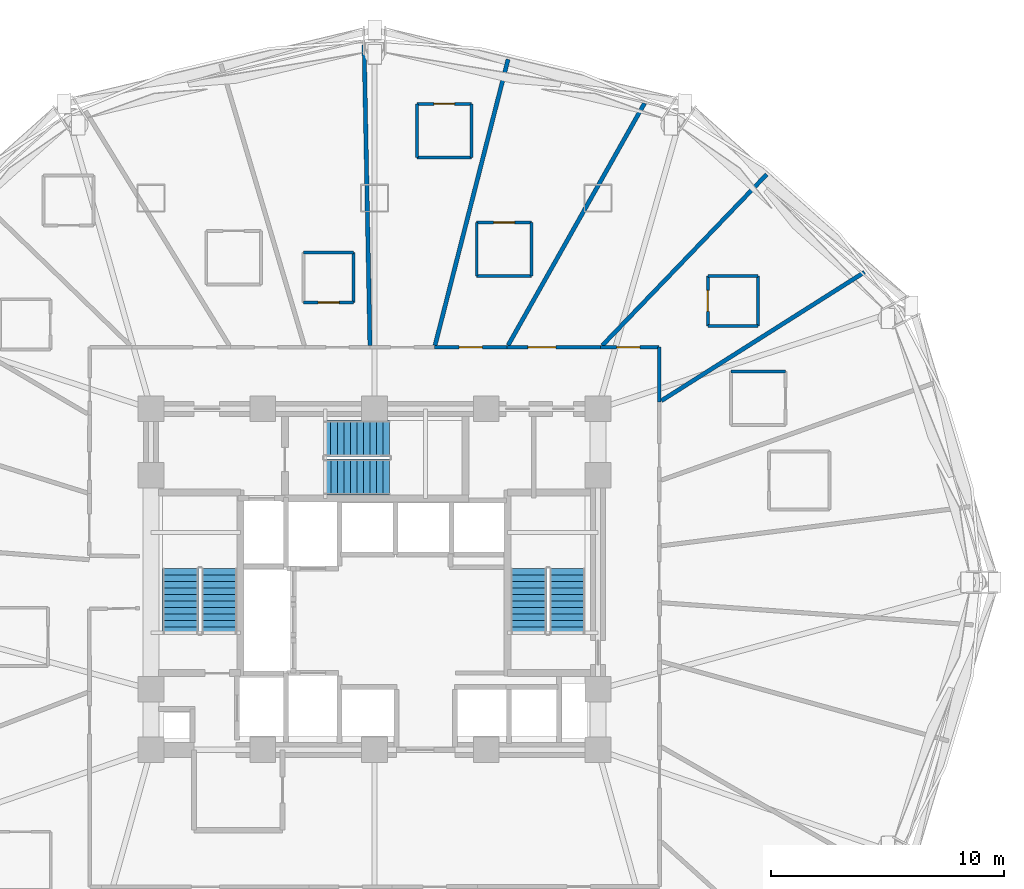
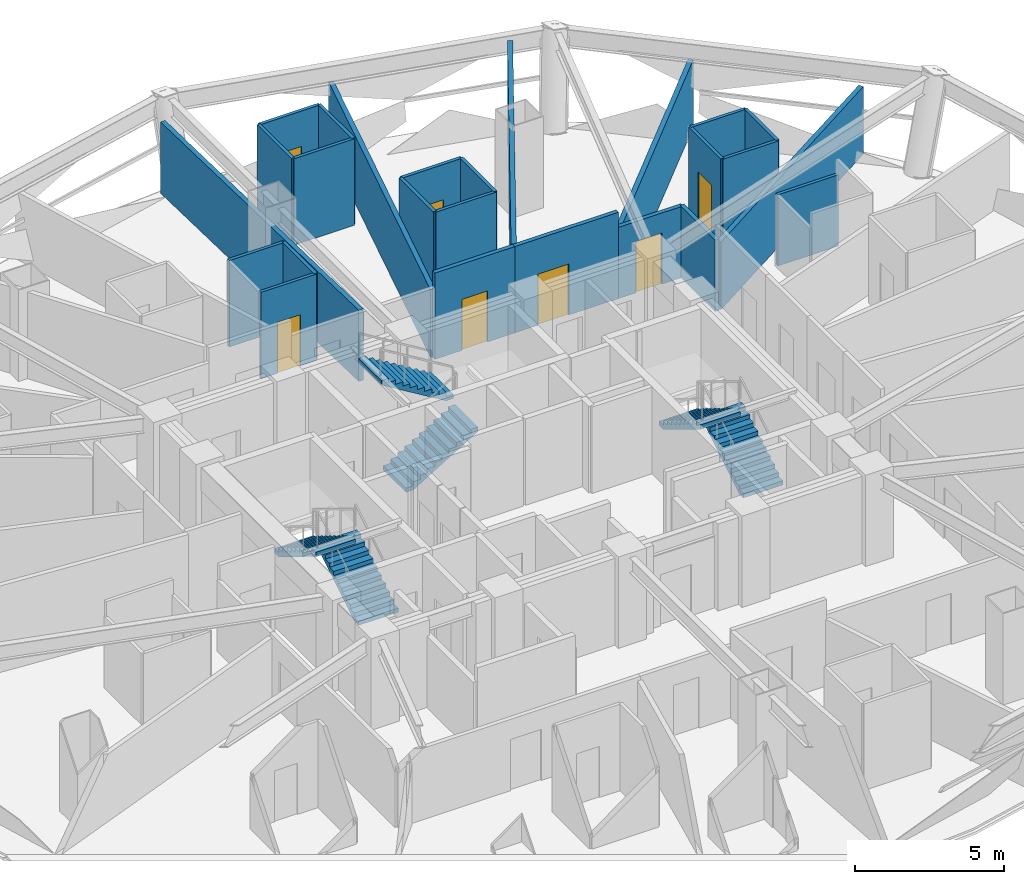
# One storey, part 8 of 12: 25 walls, 7 doors, 6 stair flights, 7 openings, 3 elements without a shape of their own.
"""IFC4 building model written with IfcOpenShell, lengths in metres."""

from ifc_helpers import new_model, si_unit, direction, frame, frame_2d, origin, place, context, subcontext, project, spatial, polyline, rectangle, outline, extrude, material, layer, layer_set, type_object, element, fill, aggregate, save


model = new_model("IFC4")

# Units and contexts
model_context = context("Model", 3, precision=1e-05, world=origin(), true_north=direction((0.0, 1.0)))
body_context = subcontext(model_context, "Body", "Model", "MODEL_VIEW")
ifc_project = project(units=[si_unit("LENGTHUNIT", "METRE"), si_unit("AREAUNIT", "SQUARE_METRE"), si_unit("VOLUMEUNIT", "CUBIC_METRE"), si_unit("PLANEANGLEUNIT", "RADIAN"), si_unit("MASSUNIT", "GRAM", prefix="KILO")], contexts=[model_context])

# Site, building, storey
site_placement = place(None, origin())
site = spatial("IfcSite", under=ifc_project, at=site_placement, CompositionType="ELEMENT")
building_placement = place(site_placement, origin())
building = spatial("IfcBuilding", under=site, at=building_placement, Name="Vantalir Tower", CompositionType="ELEMENT")
storey_placement = place(building_placement, frame((0.0, 0.0, 38.25)))
storey = spatial("IfcBuildingStorey", under=building, at=storey_placement, Name="L08", CompositionType="ELEMENT", Elevation=38.25)

# Walls
ifc_material_1 = material(Name="Moisture-resistant en-suite partition", Category="gypsum")
ifc_layer_1 = layer(ifc_material_1, 0.125)
ifc_layer_set_1 = layer_set([ifc_layer_1], Name="Moisture-resistant en-suite partition")
wall_type_1 = type_object("IfcWallType", Name="WL-BATH-125", PredefinedType="PARTITIONING", material=ifc_layer_set_1)
wall_1_placement = place(storey_placement, frame((46.80908203125, 34.051025390625, 0.0), z_axis=(0.0, 0.0, 1.0), x_axis=(1.0, 0.0, 0.0)))
element("IfcWall", 1, at=wall_1_placement, inside=storey, type_object=wall_type_1, Name="L08 En-suite 02 North Wall", PredefinedType="PARTITIONING", context=body_context, shape_type="SweptSolid", body=[
    extrude(rectangle(XDim=2.349853515625, YDim=0.125, at=frame_2d((1.1748046875, 0.0))), origin(), (0.0, 0.0, 1.0), 2.927978515625),
])
for number, where, z_axis, x_axis, name in (
    (2, (45.818115234375, 36.013916015625, 0.0), (0.0, 0.0, 1.0), (1.0, 0.0, 0.0), "L08 En-suite 03 South Wall"),
    (3, (45.818115234375, 38.1640625, 0.0), (0.0, 0.0, 1.0), (1.0, 0.0, 0.0), "L08 En-suite 03 North Wall"),
):
    element("IfcWall", number, at=place(storey_placement, frame(where, z_axis=z_axis, x_axis=x_axis)), inside=storey, type_object=wall_type_1, Name=name, PredefinedType="PARTITIONING", context=body_context, shape_type="SweptSolid", body=[
        extrude(rectangle(XDim=2.14990234375, YDim=0.125, at=frame_2d((1.074951171875, 0.0))), origin(), (0.0, 0.0, 1.0), 3.550048828125),
    ])

# Wall, opening, door
wall_2_placement = place(storey_placement, frame((45.818115234375, 36.013916015625, 0.0), z_axis=(0.0, 0.0, 1.0), x_axis=(0.0, 1.0, 0.0)))
wall_2 = element("IfcWall", 4, at=wall_2_placement, inside=storey, type_object=wall_type_1, Name="L08 En-suite 03 West Wall", PredefinedType="PARTITIONING", context=body_context, shape_type="SweptSolid", body=[
    extrude(rectangle(XDim=2.150146484375, YDim=0.125, at=frame_2d((1.0751953125, 0.0))), origin(), (0.0, 0.0, 1.0), 3.550048828125),
])
opening_1_placement = place(wall_2_placement, frame((0.625, 0.0, 0.0)))
opening_1 = element("IfcOpeningElement", 5, at=opening_1_placement, cuts=wall_2, Name="Opening D-WC", PredefinedType="OPENING", context=body_context, shape_type="SweptSolid", body=[
    extrude(rectangle(XDim=0.89990234375, YDim=2.10009765625, at=frame_2d((0.449951171875, 1.050048828125))), frame((0.0, 0.072509765625, 0.0), z_axis=(0.0, -1.0, 0.0), x_axis=(1.0, 0.0, 0.0)), (0.0, 0.0, 1.0), 0.14501953125),
])
ifc_material_2 = material(Name="Moisture-resistant hardwood door", Category="wood")
door_type_1 = type_object("IfcDoorType", Name="DR-ENSUITE-900", OperationType="NOTDEFINED", PredefinedType="DOOR", material=ifc_material_2)
door_1_placement = place(opening_1_placement, frame((0.89990234375, 0.0, 0.0), z_axis=(0.0, 0.0, 1.0), x_axis=(-1.0, 0.0, 0.0)))
door_1 = element("IfcDoor", 6, at=door_1_placement, inside=storey, type_object=door_type_1, Name="L08 En-suite 03 Door", OperationType="SINGLE_SWING_RIGHT", OverallHeight=2.10009765625, OverallWidth=0.89990234375, PredefinedType="DOOR", context=body_context, shape_type="SweptSolid", body=[
    extrude(rectangle(XDim=0.89990234375, YDim=2.10009765625, at=frame_2d((0.449951171875, 1.050048828125))), frame((0.0, 0.02490234375, 0.0), z_axis=(0.0, -1.0, 0.0), x_axis=(1.0, 0.0, 0.0)), (0.0, 0.0, 1.0), 0.050048828125),
])
fill(opening_1, door_1)

# Walls
wall_3_placement = place(storey_placement, frame((47.968017578125, 36.013916015625, 0.0), z_axis=(0.0, 0.0, 1.0), x_axis=(0.0, 1.0, 0.0)))
element("IfcWall", 7, at=wall_3_placement, inside=storey, type_object=wall_type_1, Name="L08 En-suite 03 East Wall", PredefinedType="PARTITIONING", context=body_context, shape_type="SweptSolid", body=[
    extrude(rectangle(XDim=2.150146484375, YDim=0.125, at=frame_2d((1.0751953125, 0.0))), origin(), (0.0, 0.0, 1.0), 3.550048828125),
])
wall_4_placement = place(storey_placement, frame((35.89208984375, 38.154052734375, 0.0), z_axis=(0.0, 0.0, 1.0), x_axis=(1.0, 0.0, 0.0)))
element("IfcWall", 8, at=wall_4_placement, inside=storey, type_object=wall_type_1, Name="L08 En-suite 05 South Wall", PredefinedType="PARTITIONING", context=body_context, shape_type="SweptSolid", body=[
    extrude(rectangle(XDim=2.349853515625, YDim=0.125, at=frame_2d((1.1748046875, 0.0))), origin(), (0.0, 0.0, 1.0), 3.550048828125),
])

# Wall, opening, door
wall_5_placement = place(storey_placement, frame((35.89208984375, 40.4541015625, 0.0), z_axis=(0.0, 0.0, 1.0), x_axis=(1.0, 0.0, 0.0)))
wall_5 = element("IfcWall", 9, at=wall_5_placement, inside=storey, type_object=wall_type_1, Name="L08 En-suite 05 North Wall", PredefinedType="PARTITIONING", context=body_context, shape_type="SweptSolid", body=[
    extrude(rectangle(XDim=2.349853515625, YDim=0.125, at=frame_2d((1.1748046875, 0.0))), origin(), (0.0, 0.0, 1.0), 3.550048828125),
])
opening_2_placement = place(wall_5_placement, frame((0.72509765625, 0.0, 0.0)))
opening_2 = element("IfcOpeningElement", 10, at=opening_2_placement, cuts=wall_5, Name="Opening D-WC", PredefinedType="OPENING", context=body_context, shape_type="SweptSolid", body=[
    extrude(rectangle(XDim=0.89990234375, YDim=2.10009765625, at=frame_2d((0.449951171875, 1.050048828125))), frame((0.0, 0.072509765625, 0.0), z_axis=(0.0, -1.0, 0.0), x_axis=(1.0, 0.0, 0.0)), (0.0, 0.0, 1.0), 0.14501953125),
])
door_2_placement = place(opening_2_placement, frame((0.89990234375, 0.0, 0.0), z_axis=(0.0, 0.0, 1.0), x_axis=(-1.0, 0.0, 0.0)))
door_2 = element("IfcDoor", 11, at=door_2_placement, inside=storey, type_object=door_type_1, Name="L08 En-suite 05 Door", OperationType="SINGLE_SWING_RIGHT", OverallHeight=2.10009765625, OverallWidth=0.89990234375, PredefinedType="DOOR", context=body_context, shape_type="SweptSolid", body=[
    extrude(rectangle(XDim=0.89990234375, YDim=2.10009765625, at=frame_2d((0.449951171875, 1.050048828125))), frame((0.0, 0.02490234375, 0.0), z_axis=(0.0, -1.0, 0.0), x_axis=(1.0, 0.0, 0.0)), (0.0, 0.0, 1.0), 0.050048828125),
])
fill(opening_2, door_2)

# Walls
for number, where, z_axis, x_axis, name in (
    (12, (35.89208984375, 38.154052734375, 0.0), (0.0, 0.0, 1.0), (0.0, 1.0, 0.0), "L08 En-suite 05 West Wall"),
    (13, (38.241943359375, 38.154052734375, 0.0), (0.0, 0.0, 1.0), (0.0, 1.0, 0.0), "L08 En-suite 05 East Wall"),
):
    element("IfcWall", number, at=place(storey_placement, frame(where, z_axis=z_axis, x_axis=x_axis)), inside=storey, type_object=wall_type_1, Name=name, PredefinedType="PARTITIONING", context=body_context, shape_type="SweptSolid", body=[
        extrude(rectangle(XDim=2.300048828125, YDim=0.125, at=frame_2d((1.14990234375, 0.0))), origin(), (0.0, 0.0, 1.0), 3.550048828125),
    ])
wall_6_placement = place(storey_placement, frame((33.320068359375, 43.251953125, 0.0), z_axis=(0.0, 0.0, 1.0), x_axis=(1.0, 0.0, 0.0)))
element("IfcWall", 14, at=wall_6_placement, inside=storey, type_object=wall_type_1, Name="L08 En-suite 06 South Wall", PredefinedType="PARTITIONING", context=body_context, shape_type="SweptSolid", body=[
    extrude(rectangle(XDim=2.349853515625, YDim=0.125, at=frame_2d((1.1748046875, 0.0))), origin(), (0.0, 0.0, 1.0), 3.550048828125),
])

# Wall, opening, door
wall_7_placement = place(storey_placement, frame((33.320068359375, 45.552001953125, 0.0), z_axis=(0.0, 0.0, 1.0), x_axis=(1.0, 0.0, 0.0)))
wall_7 = element("IfcWall", 15, at=wall_7_placement, inside=storey, type_object=wall_type_1, Name="L08 En-suite 06 North Wall", PredefinedType="PARTITIONING", context=body_context, shape_type="SweptSolid", body=[
    extrude(rectangle(XDim=2.349853515625, YDim=0.125, at=frame_2d((1.1748046875, 0.0))), origin(), (0.0, 0.0, 1.0), 3.550048828125),
])
opening_3_placement = place(wall_7_placement, frame((0.72509765625, 0.0, 0.0)))
opening_3 = element("IfcOpeningElement", 16, at=opening_3_placement, cuts=wall_7, Name="Opening D-WC", PredefinedType="OPENING", context=body_context, shape_type="SweptSolid", body=[
    extrude(rectangle(XDim=0.89990234375, YDim=2.10009765625, at=frame_2d((0.449951171875, 1.050048828125))), frame((0.0, 0.072509765625, 0.0), z_axis=(0.0, -1.0, 0.0), x_axis=(1.0, 0.0, 0.0)), (0.0, 0.0, 1.0), 0.14501953125),
])
door_3_placement = place(opening_3_placement, frame((0.89990234375, 0.0, 0.0), z_axis=(0.0, 0.0, 1.0), x_axis=(-1.0, 0.0, 0.0)))
door_3 = element("IfcDoor", 17, at=door_3_placement, inside=storey, type_object=door_type_1, Name="L08 En-suite 06 Door", OperationType="SINGLE_SWING_LEFT", OverallHeight=2.10009765625, OverallWidth=0.89990234375, PredefinedType="DOOR", context=body_context, shape_type="SweptSolid", body=[
    extrude(rectangle(XDim=0.89990234375, YDim=2.10009765625, at=frame_2d((0.449951171875, 1.050048828125))), frame((0.0, 0.02490234375, 0.0), z_axis=(0.0, -1.0, 0.0), x_axis=(1.0, 0.0, 0.0)), (0.0, 0.0, 1.0), 0.050048828125),
])
fill(opening_3, door_3)

# Walls
for number, where, z_axis, x_axis, name in (
    (18, (33.320068359375, 43.251953125, 0.0), (0.0, 0.0, 1.0), (0.0, 1.0, 0.0), "L08 En-suite 06 West Wall"),
    (19, (35.669921875, 43.251953125, 0.0), (0.0, 0.0, 1.0), (0.0, 1.0, 0.0), "L08 En-suite 06 East Wall"),
):
    element("IfcWall", number, at=place(storey_placement, frame(where, z_axis=z_axis, x_axis=x_axis)), inside=storey, type_object=wall_type_1, Name=name, PredefinedType="PARTITIONING", context=body_context, shape_type="SweptSolid", body=[
        extrude(rectangle(XDim=2.300048828125, YDim=0.125, at=frame_2d((1.14990234375, 0.0))), origin(), (0.0, 0.0, 1.0), 3.550048828125),
    ])

# Wall, opening, door
wall_8_placement = place(storey_placement, frame((28.455078125, 37.02001953125, 0.0), z_axis=(0.0, 0.0, 1.0), x_axis=(1.0, 0.0, 0.0)))
wall_8 = element("IfcWall", 20, at=wall_8_placement, inside=storey, type_object=wall_type_1, Name="L08 En-suite 07 South Wall", PredefinedType="PARTITIONING", context=body_context, shape_type="SweptSolid", body=[
    extrude(rectangle(XDim=2.14990234375, YDim=0.125, at=frame_2d((1.074951171875, 0.0))), origin(), (0.0, 0.0, 1.0), 3.550048828125),
])
opening_4_placement = place(wall_8_placement, frame((0.625, 0.0, 0.0)))
opening_4 = element("IfcOpeningElement", 21, at=opening_4_placement, cuts=wall_8, Name="Opening D-WC", PredefinedType="OPENING", context=body_context, shape_type="SweptSolid", body=[
    extrude(rectangle(XDim=0.89990234375, YDim=2.10009765625, at=frame_2d((0.449951171875, 1.050048828125))), frame((0.0, 0.072509765625, 0.0), z_axis=(0.0, -1.0, 0.0), x_axis=(1.0, 0.0, 0.0)), (0.0, 0.0, 1.0), 0.14501953125),
])
door_4_placement = place(opening_4_placement, origin())
door_4 = element("IfcDoor", 22, at=door_4_placement, inside=storey, type_object=door_type_1, Name="L08 En-suite 07 Door", OperationType="SINGLE_SWING_RIGHT", OverallHeight=2.10009765625, OverallWidth=0.89990234375, PredefinedType="DOOR", context=body_context, shape_type="SweptSolid", body=[
    extrude(rectangle(XDim=0.89990234375, YDim=2.10009765625, at=frame_2d((0.449951171875, 1.050048828125))), frame((0.0, 0.02490234375, 0.0), z_axis=(0.0, -1.0, 0.0), x_axis=(1.0, 0.0, 0.0)), (0.0, 0.0, 1.0), 0.050048828125),
])
fill(opening_4, door_4)

# Walls
for number, where, z_axis, x_axis, name in (
    (23, (28.455078125, 39.169921875, 0.0), (0.0, 0.0, 1.0), (1.0, 0.0, 0.0), "L08 En-suite 07 North Wall"),
    (24, (30.60498046875, 37.02001953125, 0.0), (0.0, 0.0, 1.0), (0.0, 1.0, 0.0), "L08 En-suite 07 East Wall"),
):
    element("IfcWall", number, at=place(storey_placement, frame(where, z_axis=z_axis, x_axis=x_axis)), inside=storey, type_object=wall_type_1, Name=name, PredefinedType="PARTITIONING", context=body_context, shape_type="SweptSolid", body=[
        extrude(rectangle(XDim=2.14990234375, YDim=0.125, at=frame_2d((1.074951171875, 0.0))), origin(), (0.0, 0.0, 1.0), 3.550048828125),
    ])

# Wall, opening, door
ifc_material_3 = material(Name="Fire-rated hotel corridor acoustic partition", Category="gypsum")
ifc_layer_2 = layer(ifc_material_3, 0.159912109375)
ifc_layer_set_2 = layer_set([ifc_layer_2], Name="Fire-rated hotel corridor acoustic partition")
wall_type_2 = type_object("IfcWallType", Name="WL-CORR-160", PredefinedType="PARTITIONING", material=ifc_layer_set_2)
wall_9_placement = place(storey_placement, frame((34.0791015625, 35.097900390625, 0.0), z_axis=(0.0, 0.0, 1.0), x_axis=(1.0, 0.0, 0.0)))
wall_9 = element("IfcWall", 25, at=wall_9_placement, inside=storey, type_object=wall_type_2, Name="L08 Corridor Partition 10", PredefinedType="PARTITIONING", context=body_context, shape_type="SweptSolid", body=[
    extrude(rectangle(XDim=3.11279296875, YDim=0.159912109375, at=frame_2d((1.556396484375, 0.0))), origin(), (0.0, 0.0, 1.0), 3.550048828125),
])
opening_5_placement = place(wall_9_placement, frame((1.055908203125, 0.0, 0.0)))
opening_5 = element("IfcOpeningElement", 26, at=opening_5_placement, cuts=wall_9, Name="Opening D-GUEST", PredefinedType="OPENING", context=body_context, shape_type="SweptSolid", body=[
    extrude(rectangle(XDim=1.0, YDim=2.10009765625, at=frame_2d((0.5, 1.050048828125))), frame((0.0, 0.08984375, 0.0), z_axis=(0.0, -1.0, 0.0), x_axis=(1.0, 0.0, 0.0)), (0.0, 0.0, 1.0), 0.179931640625),
])
ifc_material_4 = material(Name="Solid-core teak veneer acoustic fire door", Category="wood")
door_type_2 = type_object("IfcDoorType", Name="DR-GUEST-ENTRY-1000", OperationType="NOTDEFINED", PredefinedType="DOOR", material=ifc_material_4)
door_5_placement = place(opening_5_placement, origin())
door_5 = element("IfcDoor", 27, at=door_5_placement, inside=storey, type_object=door_type_2, Name="L08 Twin Queen Hotel Room 05 Door", OperationType="SINGLE_SWING_LEFT", OverallHeight=2.10009765625, OverallWidth=1.0, PredefinedType="DOOR", context=body_context, shape_type="SweptSolid", body=[
    extrude(rectangle(XDim=1.0, YDim=2.10009765625, at=frame_2d((0.5, 1.050048828125))), frame((0.0, 0.02490234375, 0.0), z_axis=(0.0, -1.0, 0.0), x_axis=(1.0, 0.0, 0.0)), (0.0, 0.0, 1.0), 0.050048828125),
])
fill(opening_5, door_5)

wall_10_placement = place(storey_placement, frame((37.19189453125, 35.097900390625, 0.0), z_axis=(0.0, 0.0, 1.0), x_axis=(1.0, 0.0, 0.0)))
wall_10 = element("IfcWall", 28, at=wall_10_placement, inside=storey, type_object=wall_type_2, Name="L08 Corridor Partition 11", PredefinedType="PARTITIONING", context=body_context, shape_type="SweptSolid", body=[
    extrude(rectangle(XDim=4.01904296875, YDim=0.159912109375, at=frame_2d((2.009521484375, 0.0))), origin(), (0.0, 0.0, 1.0), 3.550048828125),
])
opening_6_placement = place(wall_10_placement, frame((0.89501953125, 0.0, 0.0)))
opening_6 = element("IfcOpeningElement", 29, at=opening_6_placement, cuts=wall_10, Name="Opening D-STE", PredefinedType="OPENING", context=body_context, shape_type="SweptSolid", body=[
    extrude(rectangle(XDim=1.199951171875, YDim=2.10009765625, at=frame_2d((0.60009765625, 1.050048828125))), frame((0.0, 0.08984375, 0.0), z_axis=(0.0, -1.0, 0.0), x_axis=(1.0, 0.0, 0.0)), (0.0, 0.0, 1.0), 0.179931640625),
])
ifc_material_5 = material(Name="Solid-core teak veneer suite entrance door", Category="wood")
door_type_3 = type_object("IfcDoorType", Name="DR-SUITE-ENTRY-1200", OperationType="NOTDEFINED", PredefinedType="DOOR", material=ifc_material_5)
door_6_placement = place(opening_6_placement, origin())
door_6 = element("IfcDoor", 30, at=door_6_placement, inside=storey, type_object=door_type_3, Name="L08 Club Reading Lounge 04 Door", OperationType="SINGLE_SWING_RIGHT", OverallHeight=2.10009765625, OverallWidth=1.199951171875, PredefinedType="DOOR", context=body_context, shape_type="SweptSolid", body=[
    extrude(rectangle(XDim=1.199951171875, YDim=2.10009765625, at=frame_2d((0.60009765625, 1.050048828125))), frame((0.0, 0.02490234375, 0.0), z_axis=(0.0, -1.0, 0.0), x_axis=(1.0, 0.0, 0.0)), (0.0, 0.0, 1.0), 0.050048828125),
])
fill(opening_6, door_6)

wall_11_placement = place(storey_placement, frame((41.2109375, 35.097900390625, 0.0), z_axis=(0.0, 0.0, 1.0), x_axis=(1.0, 0.0, 0.0)))
wall_11 = element("IfcWall", 31, at=wall_11_placement, inside=storey, type_object=wall_type_2, Name="L08 Corridor Partition 12", PredefinedType="PARTITIONING", context=body_context, shape_type="SweptSolid", body=[
    extrude(rectangle(XDim=2.52001953125, YDim=0.159912109375, at=frame_2d((1.260009765625, 0.0))), origin(), (0.0, 0.0, 1.0), 2.927978515625),
])
opening_7_placement = place(wall_11_placement, frame((0.693115234375, 0.0, 0.0)))
opening_7 = element("IfcOpeningElement", 32, at=opening_7_placement, cuts=wall_11, Name="Opening D-GUEST", PredefinedType="OPENING", context=body_context, shape_type="SweptSolid", body=[
    extrude(rectangle(XDim=1.0, YDim=2.10009765625, at=frame_2d((0.5, 1.050048828125))), frame((0.0, 0.08984375, 0.0), z_axis=(0.0, -1.0, 0.0), x_axis=(1.0, 0.0, 0.0)), (0.0, 0.0, 1.0), 0.179931640625),
])
door_7_placement = place(opening_7_placement, origin())
door_7 = element("IfcDoor", 33, at=door_7_placement, inside=storey, type_object=door_type_2, Name="L08 Deluxe King Hotel Room 03 Door", OperationType="SINGLE_SWING_LEFT", OverallHeight=2.10009765625, OverallWidth=1.0, PredefinedType="DOOR", context=body_context, shape_type="SweptSolid", body=[
    extrude(rectangle(XDim=1.0, YDim=2.10009765625, at=frame_2d((0.5, 1.050048828125))), frame((0.0, 0.02490234375, 0.0), z_axis=(0.0, -1.0, 0.0), x_axis=(1.0, 0.0, 0.0)), (0.0, 0.0, 1.0), 0.050048828125),
])
fill(opening_7, door_7)

# Walls
wall_12_placement = place(storey_placement, frame((43.73095703125, 35.097900390625, 0.0), z_axis=(0.0, 0.0, 1.0), x_axis=(0.000829359035, -0.999999656082, 0.0)))
element("IfcWall", 34, at=wall_12_placement, inside=storey, type_object=wall_type_2, Name="L08 Corridor Partition 13", PredefinedType="PARTITIONING", context=body_context, shape_type="SweptSolid", body=[
    extrude(rectangle(XDim=2.35498046875, YDim=0.159912109375, at=frame_2d((1.177490234375, 0.0))), origin(), (0.0, 0.0, 1.0), 2.927978515625),
])
ifc_material_6 = material(Name="Twin-stud acoustic fire-rated gypsum partition", Category="gypsum")
ifc_layer_3 = layer(ifc_material_6, 0.179931640625)
ifc_layer_set_3 = layer_set([ifc_layer_3], Name="Twin-stud acoustic fire-rated gypsum partition")
wall_type_3 = type_object("IfcWallType", Name="WL-GUEST-180", PredefinedType="PARTITIONING", material=ifc_layer_set_3)
wall_13_placement = place(storey_placement, frame((43.827880859375, 32.802978515625, 0.0), z_axis=(0.0, 0.0, 1.0), x_axis=(0.844965578972, 0.534820689908, 0.0)))
element("IfcWall", 35, at=wall_13_placement, inside=storey, type_object=wall_type_3, Name="L08 Radial Suite Partition 03", PredefinedType="PARTITIONING", context=body_context, shape_type="SweptSolid", body=[
    extrude(rectangle(XDim=10.317626953125, YDim=0.179931640625, at=frame_2d((5.15869140625, 0.0))), origin(), (0.0, 0.0, 1.0), 2.77490234375),
])
wall_14_placement = place(storey_placement, frame((41.2880859375, 35.177978515625, 0.0), z_axis=(0.0, 0.0, 1.0), x_axis=(0.69313696183, 0.720805904627, 0.0)))
element("IfcWall", 36, at=wall_14_placement, inside=storey, type_object=wall_type_3, Name="L08 Radial Suite Partition 04", PredefinedType="PARTITIONING", context=body_context, shape_type="SweptSolid", body=[
    extrude(rectangle(XDim=10.19140625, YDim=0.179931640625, at=frame_2d((5.095703125, 0.0))), origin(), (0.0, 0.0, 1.0), 2.77490234375),
])
wall_15_placement = place(storey_placement, frame((37.237060546875, 35.177978515625, 0.0), z_axis=(0.0, 0.0, 1.0), x_axis=(0.491050305755, 0.871131216992, 0.0)))
element("IfcWall", 37, at=wall_15_placement, inside=storey, type_object=wall_type_3, Name="L08 Radial Suite Partition 05", PredefinedType="PARTITIONING", context=body_context, shape_type="SweptSolid", body=[
    extrude(rectangle(XDim=11.939697265625, YDim=0.179931640625, at=frame_2d((5.9697265625, 0.0))), origin(), (0.0, 0.0, 1.0), 3.550048828125),
])
wall_16_placement = place(storey_placement, frame((34.10009765625, 35.177978515625, 0.0), z_axis=(0.0, 0.0, 1.0), x_axis=(0.247424388209, 0.968907205113, 0.0)))
element("IfcWall", 38, at=wall_16_placement, inside=storey, type_object=wall_type_3, Name="L08 Radial Suite Partition 06", PredefinedType="PARTITIONING", context=body_context, shape_type="SweptSolid", body=[
    extrude(rectangle(XDim=12.682373046875, YDim=0.179931640625, at=frame_2d((6.34130859375, 0.0))), origin(), (0.0, 0.0, 1.0), 2.77490234375),
])
wall_17_placement = place(storey_placement, frame((31.303955078125, 35.177978515625, 0.0), z_axis=(0.0, 0.0, 1.0), x_axis=(-0.019374520589, 0.99981229636, 0.0)))
element("IfcWall", 39, at=wall_17_placement, inside=storey, type_object=wall_type_3, Name="L08 Radial Suite Partition 07", PredefinedType="PARTITIONING", context=body_context, shape_type="SweptSolid", body=[
    extrude(rectangle(XDim=12.903564453125, YDim=0.179931640625, at=frame_2d((6.45166015625, 0.0))), origin(), (0.0, 0.0, 1.0), 2.927978515625),
])

# Stair, stair flights
ifc_material_7 = material(Name="Concrete C40/50", Category="concrete")
stair_type = type_object("IfcStairType", Name="STR-CORE-1450", PredefinedType="HALF_TURN_STAIR", material=ifc_material_7)
stair_1_placement = place(storey_placement, origin())
stair_1 = element("IfcStair", 40, at=stair_1_placement, inside=storey, type_object=stair_type, Name="L08 Core Exit Stair 1", PredefinedType="HALF_TURN_STAIR")
stair_flight_type = type_object("IfcStairFlightType", Name="FLT-CORE-1450", PredefinedType="STRAIGHT", material=ifc_material_7)
stair_flight_1_placement = place(storey_placement, frame((24.830078125, 22.7900390625, 0.0), z_axis=(0.0, 0.0, 1.0), x_axis=(0.0, 1.0, 0.0)))
stair_flight_1 = element("IfcStairFlight", 41, at=stair_flight_1_placement, type_object=stair_flight_type, Name="ST1 flight 1", NumberOfRisers=11, NumberOfTreads=10, PredefinedType="STRAIGHT", RiserHeight=0.170454545, TreadLength=0.28, context=body_context, shape_type="SweptSolid", body=[
    extrude(outline(polyline([(0.0, 0.0), (0.0, 0.17041015625), (0.280029296875, 0.17041015625), (0.280029296875, 0.3408203125), (0.56005859375, 0.3408203125), (0.56005859375, 0.511474609375), (0.840087890625, 0.511474609375), (0.840087890625, 0.681884765625), (1.1201171875, 0.681884765625), (1.1201171875, 0.852294921875), (1.39990234375, 0.852294921875), (1.39990234375, 1.022705078125), (1.679931640625, 1.022705078125), (1.679931640625, 1.193115234375), (1.9599609375, 1.193115234375), (1.9599609375, 1.363525390625), (2.239990234375, 1.363525390625), (2.239990234375, 1.5341796875), (2.52001953125, 1.5341796875), (2.52001953125, 1.70458984375), (2.800048828125, 1.70458984375), (2.800048828125, 1.875), (2.800048828125, 1.529052734375), (0.288330078125, 0.0), (0.0, 0.0)])), frame((0.0, 0.77001953125, 0.0), z_axis=(0.0, -1.0, 0.0), x_axis=(1.0, 0.0, 0.0)), (0.0, 0.0, 1.0), 1.5400390625),
])
stair_flight_2_placement = place(storey_placement, frame((23.169921875, 25.590087890625, 1.875), z_axis=(0.0, 0.0, 1.0), x_axis=(0.0, -1.0, 0.0)))
stair_flight_2 = element("IfcStairFlight", 42, at=stair_flight_2_placement, type_object=stair_flight_type, Name="ST1 flight 2", NumberOfRisers=11, NumberOfTreads=10, PredefinedType="STRAIGHT", RiserHeight=0.170454545, TreadLength=0.28, context=body_context, shape_type="SweptSolid", body=[
    extrude(outline(polyline([(0.0, 0.0), (0.0, 0.17041015625), (0.280029296875, 0.17041015625), (0.280029296875, 0.3408203125), (0.56005859375, 0.3408203125), (0.56005859375, 0.511474609375), (0.840087890625, 0.511474609375), (0.840087890625, 0.681884765625), (1.1201171875, 0.681884765625), (1.1201171875, 0.852294921875), (1.39990234375, 0.852294921875), (1.39990234375, 1.022705078125), (1.679931640625, 1.022705078125), (1.679931640625, 1.193115234375), (1.9599609375, 1.193115234375), (1.9599609375, 1.363525390625), (2.239990234375, 1.363525390625), (2.239990234375, 1.5341796875), (2.52001953125, 1.5341796875), (2.52001953125, 1.70458984375), (2.800048828125, 1.70458984375), (2.800048828125, 1.875), (2.800048828125, 1.529052734375), (0.288330078125, 0.0), (0.0, 0.0)])), frame((0.0, 0.77001953125, 0.0), z_axis=(0.0, -1.0, 0.0), x_axis=(1.0, 0.0, 0.0)), (0.0, 0.0, 1.0), 1.5400390625),
])
aggregate(stair_1, [stair_flight_1, stair_flight_2])

stair_2_placement = place(storey_placement, origin())
stair_2 = element("IfcStair", 43, at=stair_2_placement, inside=storey, type_object=stair_type, Name="L08 Core Exit Stair 2", PredefinedType="HALF_TURN_STAIR")
stair_flight_3_placement = place(storey_placement, frame((39.780029296875, 22.7900390625, 0.0), z_axis=(0.0, 0.0, 1.0), x_axis=(0.0, 1.0, 0.0)))
stair_flight_3 = element("IfcStairFlight", 44, at=stair_flight_3_placement, type_object=stair_flight_type, Name="ST2 flight 1", NumberOfRisers=11, NumberOfTreads=10, PredefinedType="STRAIGHT", RiserHeight=0.170454545, TreadLength=0.28, context=body_context, shape_type="SweptSolid", body=[
    extrude(outline(polyline([(0.0, 0.0), (0.0, 0.17041015625), (0.280029296875, 0.17041015625), (0.280029296875, 0.3408203125), (0.56005859375, 0.3408203125), (0.56005859375, 0.511474609375), (0.840087890625, 0.511474609375), (0.840087890625, 0.681884765625), (1.1201171875, 0.681884765625), (1.1201171875, 0.852294921875), (1.39990234375, 0.852294921875), (1.39990234375, 1.022705078125), (1.679931640625, 1.022705078125), (1.679931640625, 1.193115234375), (1.9599609375, 1.193115234375), (1.9599609375, 1.363525390625), (2.239990234375, 1.363525390625), (2.239990234375, 1.5341796875), (2.52001953125, 1.5341796875), (2.52001953125, 1.70458984375), (2.800048828125, 1.70458984375), (2.800048828125, 1.875), (2.800048828125, 1.529052734375), (0.288330078125, 0.0), (0.0, 0.0)])), frame((0.0, 0.77001953125, 0.0), z_axis=(0.0, -1.0, 0.0), x_axis=(1.0, 0.0, 0.0)), (0.0, 0.0, 1.0), 1.5400390625),
])
stair_flight_4_placement = place(storey_placement, frame((38.1201171875, 25.590087890625, 1.875), z_axis=(0.0, 0.0, 1.0), x_axis=(0.0, -1.0, 0.0)))
stair_flight_4 = element("IfcStairFlight", 45, at=stair_flight_4_placement, type_object=stair_flight_type, Name="ST2 flight 2", NumberOfRisers=11, NumberOfTreads=10, PredefinedType="STRAIGHT", RiserHeight=0.170454545, TreadLength=0.28, context=body_context, shape_type="SweptSolid", body=[
    extrude(outline(polyline([(0.0, 0.0), (0.0, 0.17041015625), (0.280029296875, 0.17041015625), (0.280029296875, 0.3408203125), (0.56005859375, 0.3408203125), (0.56005859375, 0.511474609375), (0.840087890625, 0.511474609375), (0.840087890625, 0.681884765625), (1.1201171875, 0.681884765625), (1.1201171875, 0.852294921875), (1.39990234375, 0.852294921875), (1.39990234375, 1.022705078125), (1.679931640625, 1.022705078125), (1.679931640625, 1.193115234375), (1.9599609375, 1.193115234375), (1.9599609375, 1.363525390625), (2.239990234375, 1.363525390625), (2.239990234375, 1.5341796875), (2.52001953125, 1.5341796875), (2.52001953125, 1.70458984375), (2.800048828125, 1.70458984375), (2.800048828125, 1.875), (2.800048828125, 1.529052734375), (0.288330078125, 0.0), (0.0, 0.0)])), frame((0.0, 0.77001953125, 0.0), z_axis=(0.0, -1.0, 0.0), x_axis=(1.0, 0.0, 0.0)), (0.0, 0.0, 1.0), 1.5400390625),
])
aggregate(stair_2, [stair_flight_3, stair_flight_4])

stair_3_placement = place(storey_placement, origin())
stair_3 = element("IfcStair", 46, at=stair_3_placement, inside=storey, type_object=stair_type, Name="L08 Core Exit Stair 3", PredefinedType="HALF_TURN_STAIR")
stair_flight_5_placement = place(storey_placement, frame((29.340087890625, 29.52001953125, 0.0), z_axis=(0.0, 0.0, 1.0), x_axis=(1.0, 0.0, 0.0)))
stair_flight_5 = element("IfcStairFlight", 47, at=stair_flight_5_placement, type_object=stair_flight_type, Name="ST3 flight 1", NumberOfRisers=11, NumberOfTreads=10, PredefinedType="STRAIGHT", RiserHeight=0.170454545, TreadLength=0.28, context=body_context, shape_type="SweptSolid", body=[
    extrude(outline(polyline([(0.0, 0.0), (0.0, 0.17041015625), (0.280029296875, 0.17041015625), (0.280029296875, 0.3408203125), (0.56005859375, 0.3408203125), (0.56005859375, 0.511474609375), (0.840087890625, 0.511474609375), (0.840087890625, 0.681884765625), (1.1201171875, 0.681884765625), (1.1201171875, 0.852294921875), (1.39990234375, 0.852294921875), (1.39990234375, 1.022705078125), (1.679931640625, 1.022705078125), (1.679931640625, 1.193115234375), (1.9599609375, 1.193115234375), (1.9599609375, 1.363525390625), (2.239990234375, 1.363525390625), (2.239990234375, 1.5341796875), (2.52001953125, 1.5341796875), (2.52001953125, 1.70458984375), (2.800048828125, 1.70458984375), (2.800048828125, 1.875), (2.800048828125, 1.529052734375), (0.288330078125, 0.0), (0.0, 0.0)])), frame((0.0, 0.77001953125, 0.0), z_axis=(0.0, -1.0, 0.0), x_axis=(1.0, 0.0, 0.0)), (0.0, 0.0, 1.0), 1.5400390625),
])
stair_flight_6_placement = place(storey_placement, frame((32.139892578125, 31.179931640625, 1.875), z_axis=(0.0, 0.0, 1.0), x_axis=(-1.0, 0.0, 0.0)))
stair_flight_6 = element("IfcStairFlight", 48, at=stair_flight_6_placement, type_object=stair_flight_type, Name="ST3 flight 2", NumberOfRisers=11, NumberOfTreads=10, PredefinedType="STRAIGHT", RiserHeight=0.170454545, TreadLength=0.28, context=body_context, shape_type="SweptSolid", body=[
    extrude(outline(polyline([(0.0, 0.0), (0.0, 0.17041015625), (0.280029296875, 0.17041015625), (0.280029296875, 0.3408203125), (0.56005859375, 0.3408203125), (0.56005859375, 0.511474609375), (0.840087890625, 0.511474609375), (0.840087890625, 0.681884765625), (1.1201171875, 0.681884765625), (1.1201171875, 0.852294921875), (1.39990234375, 0.852294921875), (1.39990234375, 1.022705078125), (1.679931640625, 1.022705078125), (1.679931640625, 1.193115234375), (1.9599609375, 1.193115234375), (1.9599609375, 1.363525390625), (2.239990234375, 1.363525390625), (2.239990234375, 1.5341796875), (2.52001953125, 1.5341796875), (2.52001953125, 1.70458984375), (2.800048828125, 1.70458984375), (2.800048828125, 1.875), (2.800048828125, 1.529052734375), (0.288330078125, 0.0), (0.0, 0.0)])), frame((0.0, 0.77001953125, 0.0), z_axis=(0.0, -1.0, 0.0), x_axis=(1.0, 0.0, 0.0)), (0.0, 0.0, 1.0), 1.5400390625),
])
aggregate(stair_3, [stair_flight_5, stair_flight_6])

save(model, "model.ifc")
